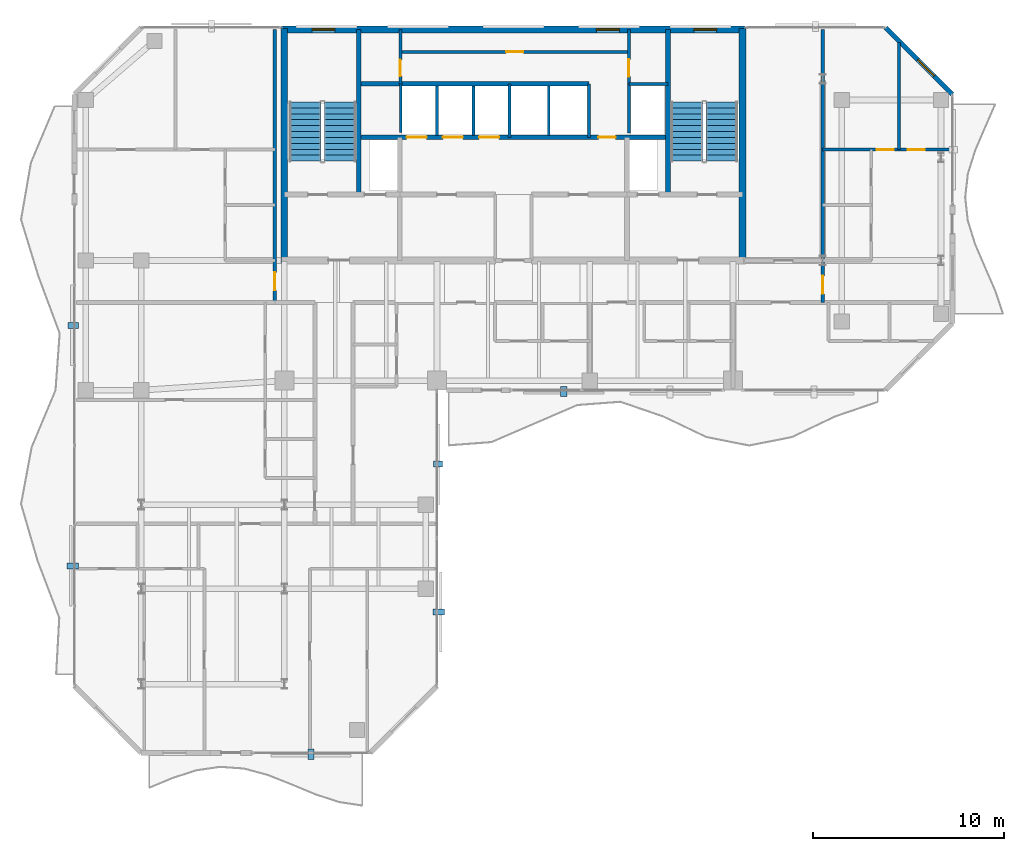
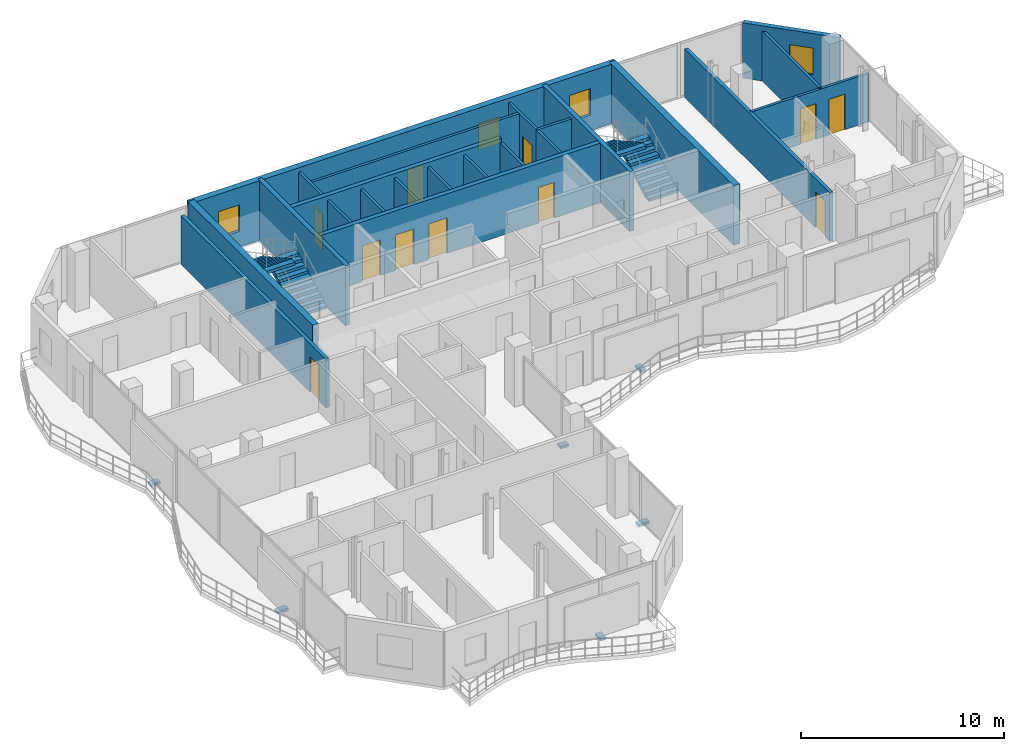
# One storey, part 20 of 24: 23 walls, 11 doors, 6 discrete accessories, 4 stair flights, 4 windows, 15 openings, 2 elements without a shape of their own.
"""IFC4 building model written with IfcOpenShell, lengths in metres."""

import ifcopenshell
import ifcopenshell.guid

model = None  # the IFC model being written
_history = None  # IfcOwnerHistory: only IFC2X3 demands one
_inside = {}  # id of a spatial element -> (the spatial element, [elements in it])
_under = {}  # id of a project, library or spatial element -> (it, [spatial elements below it])
_declared = {}  # id of a project -> (the project, [libraries it declares])
_typed = {}  # id of a type object -> (the type object, [elements of that type])
_made_of = {}  # id of a material, layer set ... -> (it, [elements and type objects made of it])


def new_model(schema):
    """Start an empty IFC model of exactly this schema.

    Asked for "IFC4X3", IfcOpenShell would pick the latest addendum, in which some entities
    have other attributes; the version numbers below select the first issue.
    IFC2X3 requires an IfcOwnerHistory on every rooted entity: one is made here for all.
    """
    global model, _history
    if schema == "IFC4X3":
        model = ifcopenshell.file(schema_version=(4, 3, 0, 0))
    else:
        model = ifcopenshell.file(schema=schema)
    _inside.clear()
    _under.clear()
    _declared.clear()
    _typed.clear()
    _made_of.clear()
    _history = None
    if model.schema == "IFC2X3":
        org = make("IfcOrganization", Name="unknown")
        user = make(
            "IfcPersonAndOrganization",
            ThePerson=make("IfcPerson", FamilyName="unknown"),
            TheOrganization=org,
        )
        app = make(
            "IfcApplication",
            ApplicationDeveloper=org,
            Version="unknown",
            ApplicationFullName="unknown",
            ApplicationIdentifier="unknown",
        )
        _history = make(
            "IfcOwnerHistory",
            OwningUser=user,
            OwningApplication=app,
            ChangeAction="ADDED",
            CreationDate=0,
        )
    return model


def make(cls, **values):
    """One entity of the class cls with the attributes given. An attribute that is None is left unset."""
    return model.create_entity(
        cls, **{name: value for name, value in values.items() if value is not None}
    )


def rooted(cls, **values):
    """An entity with a GlobalId (a new one), such as an element, a storey or a relation."""
    return make(cls, GlobalId=ifcopenshell.guid.new(), OwnerHistory=_history, **values)


def si_unit(unit_type, name, prefix=None):
    """IfcSIUnit, for example si_unit("LENGTHUNIT", "METRE", prefix="MILLI")."""
    return make("IfcSIUnit", UnitType=unit_type, Prefix=prefix, Name=name)


def assignment(units):
    """IfcUnitAssignment: the units of a project."""
    return None if units is None else make("IfcUnitAssignment", Units=units)


def point(xyz):
    """IfcCartesianPoint."""
    return None if xyz is None else make("IfcCartesianPoint", Coordinates=xyz)


def direction(xyz):
    """IfcDirection."""
    return None if xyz is None else make("IfcDirection", DirectionRatios=xyz)


def frame(location, z_axis=None, x_axis=None):
    """IfcAxis2Placement3D, a coordinate frame: its origin and axes. An axis left out is left unset."""
    return make(
        "IfcAxis2Placement3D",
        Location=point(location),
        Axis=direction(z_axis),
        RefDirection=direction(x_axis),
    )


def frame_2d(location, x_axis=None):
    """IfcAxis2Placement2D, a coordinate frame in the plane: its origin and x axis."""
    return make(
        "IfcAxis2Placement2D", Location=point(location), RefDirection=direction(x_axis)
    )


def origin():
    """The frame at (0, 0, 0) with its axes left unset."""
    return frame((0.0, 0.0, 0.0))


def origin_2d():
    """The frame at (0, 0) in the plane with its x axis left unset."""
    return frame_2d((0.0, 0.0))


def place(relative_to, where):
    """IfcLocalPlacement: puts the frame where relative to a parent placement (None: the world)."""
    return make(
        "IfcLocalPlacement", PlacementRelTo=relative_to, RelativePlacement=where
    )


def context(
    kind, dimensions, precision=None, world=None, true_north=None, identifier=None
):
    """IfcGeometricRepresentationContext, for example the 3D "Model" context."""
    return make(
        "IfcGeometricRepresentationContext",
        ContextIdentifier=identifier,
        ContextType=kind,
        CoordinateSpaceDimension=dimensions,
        Precision=precision,
        WorldCoordinateSystem=world,
        TrueNorth=true_north,
    )


def subcontext(parent, identifier, kind, view, scale=None):
    """IfcGeometricRepresentationSubContext, for example "Body" below "Model"."""
    return make(
        "IfcGeometricRepresentationSubContext",
        ContextIdentifier=identifier,
        ContextType=kind,
        ParentContext=parent,
        TargetScale=scale,
        TargetView=view,
    )


def project(units=None, contexts=None):
    """IfcProject with its units and contexts."""
    return rooted(
        "IfcProject",
        Name="project",
        RepresentationContexts=contexts,
        UnitsInContext=assignment(units),
    )


def spatial(cls, under=None, at=None, **own):
    """A site, building, storey or space (cls), placed at a placement, below another one or the project."""
    s = rooted(cls, ObjectPlacement=at, **own)
    if under is not None:
        _under.setdefault(under.id(), (under, []))[1].append(s)
    return s


def polyline(points):
    """IfcPolyline through the points."""
    return make("IfcPolyline", Points=[point(p) for p in points])


def profile(cls, at=None, kind="AREA", **sizes):
    """A parametric profile (cls). Its sizes go by their IFC names, for example OverallWidth=200.0."""
    return make(cls, ProfileType=kind, Position=at, **sizes)


def rectangle(**sizes):
    """IfcRectangleProfileDef."""
    return profile("IfcRectangleProfileDef", **sizes)


def outline(outer, holes=None, kind="AREA"):
    """IfcArbitraryClosedProfileDef: a profile drawn as a closed curve; with holes, ...WithVoids."""
    if holes is None:
        return make("IfcArbitraryClosedProfileDef", ProfileType=kind, OuterCurve=outer)
    return make(
        "IfcArbitraryProfileDefWithVoids",
        ProfileType=kind,
        OuterCurve=outer,
        InnerCurves=holes,
    )


def extrude(swept, where, along, depth):
    """IfcExtrudedAreaSolid: the profile swept, set in the frame where, extruded along a direction by depth."""
    return make(
        "IfcExtrudedAreaSolid",
        SweptArea=swept,
        Position=where,
        ExtrudedDirection=direction(along),
        Depth=depth,
    )


def shape(context_of_items, identifier, shape_type, items):
    """IfcShapeRepresentation: the items that make up one representation, for example the "Body"."""
    return make(
        "IfcShapeRepresentation",
        ContextOfItems=context_of_items,
        RepresentationIdentifier=identifier,
        RepresentationType=shape_type,
        Items=items,
    )


def material(Name=None, Category=None):
    """IfcMaterial."""
    return make("IfcMaterial", Name=Name, Category=Category)


def layer(
    of_material, thickness, ventilated=None, Name=None, Category=None, Priority=None
):
    """IfcMaterialLayer: one layer of a wall or slab, of a material (None: an air gap)."""
    return make(
        "IfcMaterialLayer",
        Material=of_material,
        LayerThickness=thickness,
        IsVentilated=ventilated,
        Name=Name,
        Category=Category,
        Priority=Priority,
    )


def layer_set(layers, Name=None):
    """IfcMaterialLayerSet."""
    return make("IfcMaterialLayerSet", MaterialLayers=layers, LayerSetName=Name)


def made_of(thing, what):
    """Note that an element or type object is made of a material, layer set ...; save() writes the relation."""
    if what is not None:
        _made_of.setdefault(what.id(), (what, []))[1].append(thing)
    return thing


def type_object(cls, material=None, **own):
    """A type object (cls), such as IfcWallType, which elements share."""
    return made_of(rooted(cls, **own), material)


def element(
    cls,
    number,
    at=None,
    inside=None,
    cuts=None,
    type_object=None,
    material=None,
    context=None,
    identifier="Body",
    shape_type=None,
    held_by="IfcProductDefinitionShape",
    body=None,
    shapes=None,
    **own,
):
    """One element of the class cls, such as IfcWall. Its Tag is "e" and its number.

    at: its placement. inside: the storey or other place that contains it. cuts: it is an
    opening in that element (IfcRelVoidsElement). A single representation is given by context,
    identifier, shape_type and body (its items); several are given by shapes. held_by: the class
    of the entity that holds the representations. save() writes the other relations.
    """
    e = rooted(cls, Tag="e%d" % number, ObjectPlacement=at, **own)
    if body is not None:
        shapes = [shape(context, identifier, shape_type, body)]
    if shapes is not None:
        e.Representation = make(held_by, Representations=shapes)
    if inside is not None:
        _inside.setdefault(inside.id(), (inside, []))[1].append(e)
    if cuts is not None:
        rooted(
            "IfcRelVoidsElement", RelatingBuildingElement=cuts, RelatedOpeningElement=e
        )
    if type_object is not None:
        _typed.setdefault(type_object.id(), (type_object, []))[1].append(e)
    return made_of(e, material)


def fill(opening, filler):
    """IfcRelFillsElement: the door or window that sits in an opening."""
    return rooted(
        "IfcRelFillsElement",
        RelatingOpeningElement=opening,
        RelatedBuildingElement=filler,
    )


def aggregate(whole, parts):
    """IfcRelAggregates: a whole, such as a stair, and the parts it consists of."""
    return rooted("IfcRelAggregates", RelatingObject=whole, RelatedObjects=parts)


def save(model, path):
    """Write the relations noted so far, then the file.

    IfcRelAggregates (storeys below a building ...), IfcRelContainedInSpatialStructure (elements
    in a storey), IfcRelDefinesByType, IfcRelAssociatesMaterial and IfcRelDeclares: one each for
    every whole, place, type object, material and project.
    """
    for whole, parts in _under.values():
        aggregate(whole, parts)
    for where, things in _inside.values():
        rooted(
            "IfcRelContainedInSpatialStructure",
            RelatedElements=things,
            RelatingStructure=where,
        )
    for kind, things in _typed.values():
        rooted("IfcRelDefinesByType", RelatedObjects=things, RelatingType=kind)
    for what, things in _made_of.values():
        rooted("IfcRelAssociatesMaterial", RelatedObjects=things, RelatingMaterial=what)
    for by, libraries in _declared.values():
        rooted("IfcRelDeclares", RelatingContext=by, RelatedDefinitions=libraries)
    model.write(path)


model = new_model("IFC4")

# Units and contexts
model_context = context("Model", 3, precision=1e-05, world=origin(), true_north=direction((0.0, 1.0)))
body_context = subcontext(model_context, "Body", "Model", "MODEL_VIEW")
ifc_project = project(units=[si_unit("LENGTHUNIT", "METRE"), si_unit("AREAUNIT", "SQUARE_METRE"), si_unit("VOLUMEUNIT", "CUBIC_METRE"), si_unit("PLANEANGLEUNIT", "RADIAN"), si_unit("MASSUNIT", "GRAM", prefix="KILO")], contexts=[model_context])

# Site, building, storey
site_placement = place(None, origin())
site = spatial("IfcSite", under=ifc_project, at=site_placement, CompositionType="ELEMENT")
building_placement = place(site_placement, origin())
building = spatial("IfcBuilding", under=site, at=building_placement, Name="Catumbela Crestline Tower", CompositionType="ELEMENT")
storey_placement = place(building_placement, frame((0.0, 0.0, 161.4)))
storey = spatial("IfcBuildingStorey", under=building, at=storey_placement, Name="L41", CompositionType="ELEMENT", Elevation=161.4)

# Walls
ifc_material_1 = material(Name="Concrete C50/60", Category="concrete")
ifc_layer_1 = layer(ifc_material_1, 0.25, Name="Concrete C50/60")
ifc_layer_set_1 = layer_set([ifc_layer_1], Name="Concrete C50/60")
wall_type_1 = type_object("IfcWallType", Name="CW-250D", PredefinedType="SHEAR", material=ifc_layer_set_1)
for number, where, z_axis, x_axis, name in (
    (1, (19.9, 34.25, 0.0), (0.0, 0.0, 1.0), (0.0, 1.0, 0.0), "L41 Structural Core Shear Wall WWEB"),
    (2, (36.1, 34.25, 0.0), (0.0, 0.0, 1.0), (0.0, 1.0, 0.0), "L41 Structural Core Shear Wall EWEB"),
):
    element("IfcWall", number, at=place(storey_placement, frame(where, z_axis=z_axis, x_axis=x_axis)), inside=storey, type_object=wall_type_1, Name=name, PredefinedType="SHEAR", context=body_context, shape_type="SweptSolid", body=[
        extrude(rectangle(XDim=8.65, YDim=0.25, at=frame_2d((4.325, 0.0))), origin(), (0.0, 0.0, 1.0), 3.6),
    ])

# Wall, openings, doors
wall_1_placement = place(storey_placement, frame((19.9, 37.25, 0.0), z_axis=(0.0, 0.0, 1.0), x_axis=(1.0, 0.0, 0.0)))
wall_1 = element("IfcWall", 3, at=wall_1_placement, inside=storey, type_object=wall_type_1, Name="L41 Structural Core Shear Wall LIFTN", PredefinedType="SHEAR", context=body_context, shape_type="SweptSolid", body=[
    extrude(rectangle(XDim=16.2, YDim=0.25, at=frame_2d((8.1, 0.0))), origin(), (0.0, 0.0, 1.0), 3.6),
])
opening_1_placement = place(wall_1_placement, frame((12.55, 0.0, 0.0)))
opening_1 = element("IfcOpeningElement", 4, at=opening_1_placement, cuts=wall_1, Name="Opening DF9-090", PredefinedType="OPENING", context=body_context, shape_type="SweptSolid", body=[
    extrude(rectangle(XDim=0.9, YDim=2.15, at=frame_2d((0.45, 1.075))), frame((0.0, 0.135, 0.0), z_axis=(0.0, -1.0, 0.0), x_axis=(1.0, 0.0, 0.0)), (0.0, 0.0, 1.0), 0.27),
])
opening_2_placement = place(wall_1_placement, frame((2.5, 0.0, 0.0)))
opening_2 = element("IfcOpeningElement", 5, at=opening_2_placement, cuts=wall_1, Name="Opening LD-105", PredefinedType="OPENING", context=body_context, shape_type="SweptSolid", body=[
    extrude(rectangle(XDim=1.05, YDim=2.15, at=frame_2d((0.525, 1.075))), frame((0.0, 0.135, 0.0), z_axis=(0.0, -1.0, 0.0), x_axis=(1.0, 0.0, 0.0)), (0.0, 0.0, 1.0), 0.27),
])
opening_3_placement = place(wall_1_placement, frame((4.4, 0.0, 0.0)))
opening_3 = element("IfcOpeningElement", 6, at=opening_3_placement, cuts=wall_1, Name="Opening LD-105", PredefinedType="OPENING", context=body_context, shape_type="SweptSolid", body=[
    extrude(rectangle(XDim=1.05, YDim=2.15, at=frame_2d((0.525, 1.075))), frame((0.0, 0.135, 0.0), z_axis=(0.0, -1.0, 0.0), x_axis=(1.0, 0.0, 0.0)), (0.0, 0.0, 1.0), 0.27),
])
opening_4_placement = place(wall_1_placement, frame((6.3, 0.0, 0.0)))
opening_4 = element("IfcOpeningElement", 7, at=opening_4_placement, cuts=wall_1, Name="Opening LD-105", PredefinedType="OPENING", context=body_context, shape_type="SweptSolid", body=[
    extrude(rectangle(XDim=1.05, YDim=2.15, at=frame_2d((0.525, 1.075))), frame((0.0, 0.135, 0.0), z_axis=(0.0, -1.0, 0.0), x_axis=(1.0, 0.0, 0.0)), (0.0, 0.0, 1.0), 0.27),
])
ifc_material_2 = material(Name="Stainless steel EN 1.4401", Category="steel")
door_type_1 = type_object("IfcDoorType", Name="DF9-090", OperationType="NOTDEFINED", PredefinedType="DOOR", material=ifc_material_2)
door_1_placement = place(opening_1_placement, origin())
door_1 = element("IfcDoor", 8, at=door_1_placement, inside=storey, type_object=door_type_1, Name="L41 Interior Door DR-L41-CPAS1", OperationType="SINGLE_SWING_LEFT", OverallHeight=2.15, OverallWidth=0.9, PredefinedType="DOOR", context=body_context, shape_type="SweptSolid", body=[
    extrude(rectangle(XDim=0.9, YDim=2.15, at=frame_2d((0.45, 1.075))), frame((0.0, 0.025, 0.0), z_axis=(0.0, -1.0, 0.0), x_axis=(1.0, 0.0, 0.0)), (0.0, 0.0, 1.0), 0.05),
])
fill(opening_1, door_1)
door_type_2 = type_object("IfcDoorType", Name="LD-105", OperationType="NOTDEFINED", PredefinedType="DOOR", material=ifc_material_2)
door_2_placement = place(opening_2_placement, origin())
door_2 = element("IfcDoor", 9, at=door_2_placement, inside=storey, type_object=door_type_2, Name="L41 Lift Landing Sliding Door PL-H1", OperationType="DOUBLE_DOOR_SLIDING", OverallHeight=2.15, OverallWidth=1.05, PredefinedType="DOOR", context=body_context, shape_type="SweptSolid", body=[
    extrude(rectangle(XDim=1.05, YDim=2.15, at=frame_2d((0.525, 1.075))), frame((0.0, 0.025, 0.0), z_axis=(0.0, -1.0, 0.0), x_axis=(1.0, 0.0, 0.0)), (0.0, 0.0, 1.0), 0.05),
])
fill(opening_2, door_2)
door_3_placement = place(opening_3_placement, origin())
door_3 = element("IfcDoor", 10, at=door_3_placement, inside=storey, type_object=door_type_2, Name="L41 Lift Landing Sliding Door PL-H2", OperationType="DOUBLE_DOOR_SLIDING", OverallHeight=2.15, OverallWidth=1.05, PredefinedType="DOOR", context=body_context, shape_type="SweptSolid", body=[
    extrude(rectangle(XDim=1.05, YDim=2.15, at=frame_2d((0.525, 1.075))), frame((0.0, 0.025, 0.0), z_axis=(0.0, -1.0, 0.0), x_axis=(1.0, 0.0, 0.0)), (0.0, 0.0, 1.0), 0.05),
])
fill(opening_3, door_3)
door_4_placement = place(opening_4_placement, origin())
door_4 = element("IfcDoor", 11, at=door_4_placement, inside=storey, type_object=door_type_2, Name="L41 Lift Landing Sliding Door PL-H3", OperationType="DOUBLE_DOOR_SLIDING", OverallHeight=2.15, OverallWidth=1.05, PredefinedType="DOOR", context=body_context, shape_type="SweptSolid", body=[
    extrude(rectangle(XDim=1.05, YDim=2.15, at=frame_2d((0.525, 1.075))), frame((0.0, 0.025, 0.0), z_axis=(0.0, -1.0, 0.0), x_axis=(1.0, 0.0, 0.0)), (0.0, 0.0, 1.0), 0.05),
])
fill(opening_4, door_4)

# Walls
wall_2_placement = place(storey_placement, frame((19.9, 40.05, 0.0), z_axis=(0.0, 0.0, 1.0), x_axis=(1.0, 0.0, 0.0)))
element("IfcWall", 12, at=wall_2_placement, inside=storey, type_object=wall_type_1, Name="L41 Structural Core Shear Wall COREN", PredefinedType="SHEAR", context=body_context, shape_type="SweptSolid", body=[
    extrude(rectangle(XDim=12.05, YDim=0.25, at=frame_2d((6.025, 0.0))), origin(), (0.0, 0.0, 1.0), 3.6),
])
ifc_layer_2 = layer(ifc_material_1, 0.35, Name="Concrete C50/60")
ifc_layer_set_2 = layer_set([ifc_layer_2], Name="Concrete C50/60")
wall_type_2 = type_object("IfcWallType", Name="CW-350B", PredefinedType="SHEAR", material=ifc_layer_set_2)
for number, where, z_axis, x_axis, name in (
    (13, (16.0, 30.65, 0.0), (0.0, 0.0, 1.0), (0.0, 1.0, 0.0), "L41 Structural Core Shear Wall W"),
    (14, (40.0, 30.65, 0.0), (0.0, 0.0, 1.0), (0.0, 1.0, 0.0), "L41 Structural Core Shear Wall E"),
):
    element("IfcWall", number, at=place(storey_placement, frame(where, z_axis=z_axis, x_axis=x_axis)), inside=storey, type_object=wall_type_2, Name=name, PredefinedType="SHEAR", context=body_context, shape_type="SweptSolid", body=[
        extrude(rectangle(XDim=12.3, YDim=0.35, at=frame_2d((6.15, 0.0))), origin(), (0.0, 0.0, 1.0), 3.6),
    ])

# Wall, openings, windows
ifc_layer_3 = layer(ifc_material_1, 0.35, Name="Concrete C50/60")
ifc_layer_set_3 = layer_set([ifc_layer_3], Name="Concrete C50/60")
wall_type_3 = type_object("IfcWallType", Name="CW-350E", PredefinedType="SHEAR", material=ifc_layer_set_3)
wall_3_placement = place(storey_placement, frame((15.85, 42.9, 0.0), z_axis=(0.0, 0.0, 1.0), x_axis=(1.0, 0.0, 0.0)))
wall_3 = element("IfcWall", 15, at=wall_3_placement, inside=storey, type_object=wall_type_3, Name="L41 Structural Core Shear Wall N", PredefinedType="SHEAR", context=body_context, shape_type="SweptSolid", body=[
    extrude(rectangle(XDim=24.3, YDim=0.35, at=frame_2d((12.15, 0.0))), origin(), (0.0, 0.0, 1.0), 3.6),
])
opening_5_placement = place(wall_3_placement, frame((1.6, 0.0, 0.95)))
opening_5 = element("IfcOpeningElement", 16, at=opening_5_placement, cuts=wall_3, Name="Opening WN-02", PredefinedType="OPENING", context=body_context, shape_type="SweptSolid", body=[
    extrude(rectangle(XDim=1.2, YDim=1.6, at=frame_2d((0.6, 0.8))), frame((0.0, 0.185, 0.0), z_axis=(0.0, -1.0, 0.0), x_axis=(1.0, 0.0, 0.0)), (0.0, 0.0, 1.0), 0.37),
])
opening_6_placement = place(wall_3_placement, frame((16.5, 0.0, 0.95)))
opening_6 = element("IfcOpeningElement", 17, at=opening_6_placement, cuts=wall_3, Name="Opening WN-02", PredefinedType="OPENING", context=body_context, shape_type="SweptSolid", body=[
    extrude(rectangle(XDim=1.2, YDim=1.6, at=frame_2d((0.6, 0.8))), frame((0.0, 0.185, 0.0), z_axis=(0.0, -1.0, 0.0), x_axis=(1.0, 0.0, 0.0)), (0.0, 0.0, 1.0), 0.37),
])
opening_7_placement = place(wall_3_placement, frame((21.6, 0.0, 0.95)))
opening_7 = element("IfcOpeningElement", 18, at=opening_7_placement, cuts=wall_3, Name="Opening WN-02", PredefinedType="OPENING", context=body_context, shape_type="SweptSolid", body=[
    extrude(rectangle(XDim=1.2, YDim=1.6, at=frame_2d((0.6, 0.8))), frame((0.0, 0.185, 0.0), z_axis=(0.0, -1.0, 0.0), x_axis=(1.0, 0.0, 0.0)), (0.0, 0.0, 1.0), 0.37),
])
ifc_material_3 = material(Name="Low-E laminated solar-control double glazing", Category="glass")
window_type = type_object("IfcWindowType", Name="WO-1200", PartitioningType="SINGLE_PANEL", PredefinedType="WINDOW", material=ifc_material_3)
window_1_placement = place(opening_5_placement, origin())
window_1 = element("IfcWindow", 19, at=window_1_placement, inside=storey, type_object=window_type, Name="L41 North Core Daylight Vision Window 233", OverallHeight=1.6, OverallWidth=1.2, PartitioningType="SINGLE_PANEL", PredefinedType="WINDOW", context=body_context, shape_type="SweptSolid", body=[
    extrude(rectangle(XDim=1.2, YDim=1.6, at=frame_2d((0.6, 0.8))), frame((0.0, 0.03, 0.0), z_axis=(0.0, -1.0, 0.0), x_axis=(1.0, 0.0, 0.0)), (0.0, 0.0, 1.0), 0.06),
])
fill(opening_5, window_1)
window_2_placement = place(opening_6_placement, origin())
window_2 = element("IfcWindow", 20, at=window_2_placement, inside=storey, type_object=window_type, Name="L41 North Core Daylight Vision Window 234", OverallHeight=1.6, OverallWidth=1.2, PartitioningType="SINGLE_PANEL", PredefinedType="WINDOW", context=body_context, shape_type="SweptSolid", body=[
    extrude(rectangle(XDim=1.2, YDim=1.6, at=frame_2d((0.6, 0.8))), frame((0.0, 0.03, 0.0), z_axis=(0.0, -1.0, 0.0), x_axis=(1.0, 0.0, 0.0)), (0.0, 0.0, 1.0), 0.06),
])
fill(opening_6, window_2)
window_3_placement = place(opening_7_placement, origin())
window_3 = element("IfcWindow", 21, at=window_3_placement, inside=storey, type_object=window_type, Name="L41 North Core Daylight Vision Window 235", OverallHeight=1.6, OverallWidth=1.2, PartitioningType="SINGLE_PANEL", PredefinedType="WINDOW", context=body_context, shape_type="SweptSolid", body=[
    extrude(rectangle(XDim=1.2, YDim=1.6, at=frame_2d((0.6, 0.8))), frame((0.0, 0.03, 0.0), z_axis=(0.0, -1.0, 0.0), x_axis=(1.0, 0.0, 0.0)), (0.0, 0.0, 1.0), 0.06),
])
fill(opening_7, window_3)

# Wall, opening, door
ifc_material_4 = material(Name="Acoustic gypsum and mineral-wool partition")
ifc_layer_4 = layer(ifc_material_4, 0.2, Name="Acoustic gypsum and mineral-wool partition")
ifc_layer_set_4 = layer_set([ifc_layer_4], Name="Acoustic gypsum and mineral-wool partition")
wall_type_4 = type_object("IfcWallType", Name="WC-200", PredefinedType="PARTITIONING", material=ifc_layer_set_4)
wall_4_placement = place(storey_placement, frame((15.5, 28.6, 0.0), z_axis=(0.0, 0.0, 1.0), x_axis=(0.0, 1.0, 0.0)))
wall_4 = element("IfcWall", 22, at=wall_4_placement, inside=storey, type_object=wall_type_4, Name="L41 Interior Partition PW-L41-NW1-ENT", PredefinedType="PARTITIONING", context=body_context, shape_type="SweptSolid", body=[
    extrude(rectangle(XDim=14.3, YDim=0.2, at=frame_2d((7.15, 0.0))), origin(), (0.0, 0.0, 1.0), 2.93),
])
opening_8_placement = place(wall_4_placement, frame((0.625, 0.0, 0.0)))
opening_8 = element("IfcOpeningElement", 23, at=opening_8_placement, cuts=wall_4, Name="Opening DF6-095", PredefinedType="OPENING", context=body_context, shape_type="SweptSolid", body=[
    extrude(rectangle(XDim=0.95, YDim=2.15, at=frame_2d((0.475, 1.075))), frame((0.0, 0.11, 0.0), z_axis=(0.0, -1.0, 0.0), x_axis=(1.0, 0.0, 0.0)), (0.0, 0.0, 1.0), 0.22),
])
ifc_material_5 = material(Name="Aluminium alloy AW-6060-T66", Category="aluminium")
door_type_3 = type_object("IfcDoorType", Name="DF6-095", OperationType="NOTDEFINED", PredefinedType="DOOR", material=ifc_material_5)
door_5_placement = place(opening_8_placement, origin())
door_5 = element("IfcDoor", 24, at=door_5_placement, inside=storey, type_object=door_type_3, Name="L41 Interior Door DR-L41-NW1-ENT", OperationType="SINGLE_SWING_LEFT", OverallHeight=2.15, OverallWidth=0.95, PredefinedType="DOOR", context=body_context, shape_type="SweptSolid", body=[
    extrude(rectangle(XDim=0.95, YDim=2.15, at=frame_2d((0.475, 1.075))), frame((0.0, 0.025, 0.0), z_axis=(0.0, -1.0, 0.0), x_axis=(1.0, 0.0, 0.0)), (0.0, 0.0, 1.0), 0.05),
])
fill(opening_8, door_5)

wall_5_placement = place(storey_placement, frame((44.2, 28.6, 0.0), z_axis=(0.0, 0.0, 1.0), x_axis=(0.0, 1.0, 0.0)))
wall_5 = element("IfcWall", 25, at=wall_5_placement, inside=storey, type_object=wall_type_4, Name="L41 Interior Partition PW-L41-NE1-ENT", PredefinedType="PARTITIONING", context=body_context, shape_type="SweptSolid", body=[
    extrude(rectangle(XDim=14.3, YDim=0.2, at=frame_2d((7.15, 0.0))), origin(), (0.0, 0.0, 1.0), 2.93),
])
opening_9_placement = place(wall_5_placement, frame((0.445, 0.0, 0.0)))
opening_9 = element("IfcOpeningElement", 26, at=opening_9_placement, cuts=wall_5, Name="Opening DF6-095", PredefinedType="OPENING", context=body_context, shape_type="SweptSolid", body=[
    extrude(rectangle(XDim=0.95, YDim=2.15, at=frame_2d((0.475, 1.075))), frame((0.0, 0.11, 0.0), z_axis=(0.0, -1.0, 0.0), x_axis=(1.0, 0.0, 0.0)), (0.0, 0.0, 1.0), 0.22),
])
door_6_placement = place(opening_9_placement, origin())
door_6 = element("IfcDoor", 27, at=door_6_placement, inside=storey, type_object=door_type_3, Name="L41 Interior Door DR-L41-NE1-ENT", OperationType="SINGLE_SWING_LEFT", OverallHeight=2.15, OverallWidth=0.95, PredefinedType="DOOR", context=body_context, shape_type="SweptSolid", body=[
    extrude(rectangle(XDim=0.95, YDim=2.15, at=frame_2d((0.475, 1.075))), frame((0.0, 0.025, 0.0), z_axis=(0.0, -1.0, 0.0), x_axis=(1.0, 0.0, 0.0)), (0.0, 0.0, 1.0), 0.05),
])
fill(opening_9, door_6)

# Wall, opening, window
ifc_material_6 = material(Name="Angolan grey-ochre granite", Category="masonry")
ifc_layer_5 = layer(ifc_material_6, 0.25, Name="Angolan grey-ochre granite")
ifc_layer_set_5 = layer_set([ifc_layer_5], Name="Angolan grey-ochre granite")
wall_type_5 = type_object("IfcWallType", Name="WE-250", PredefinedType="STANDARD", material=ifc_layer_set_5)
wall_6_placement = place(storey_placement, frame((51.0, 39.5, 0.0), z_axis=(0.0, 0.0, 1.0), x_axis=(-0.707106781187, 0.707106781187, 0.0)))
wall_6 = element("IfcWall", 28, at=wall_6_placement, inside=storey, type_object=wall_type_5, Name="L41 Granite Punched Window Wall 6-1", PredefinedType="STANDARD", context=body_context, shape_type="SweptSolid", body=[
    extrude(rectangle(XDim=4.9497, YDim=0.25, at=frame_2d((2.4748, 0.0))), origin(), (0.0, 0.0, 1.0), 3.33),
])
opening_10_placement = place(wall_6_placement, frame((1.3574, 0.0, 0.85)))
opening_10 = element("IfcOpeningElement", 29, at=opening_10_placement, cuts=wall_6, Name="Opening WN-02", PredefinedType="OPENING", context=body_context, shape_type="SweptSolid", body=[
    extrude(rectangle(XDim=1.2, YDim=1.6, at=frame_2d((0.6, 0.8))), frame((0.0, 0.135, 0.0), z_axis=(0.0, -1.0, 0.0), x_axis=(1.0, 0.0, 0.0)), (0.0, 0.0, 1.0), 0.27),
])
window_4_placement = place(opening_10_placement, origin())
window_4 = element("IfcWindow", 30, at=window_4_placement, inside=storey, type_object=window_type, Name="L41 Facade Vision Window 240", OverallHeight=1.6, OverallWidth=1.2, PartitioningType="SINGLE_PANEL", PredefinedType="WINDOW", context=body_context, shape_type="SweptSolid", body=[
    extrude(rectangle(XDim=1.2, YDim=1.6, at=frame_2d((0.6, 0.8))), frame((0.0, 0.03, 0.0), z_axis=(0.0, -1.0, 0.0), x_axis=(1.0, 0.0, 0.0)), (0.0, 0.0, 1.0), 0.06),
])
fill(opening_10, window_4)

# Wall
ifc_layer_6 = layer(ifc_material_4, 0.15, Name="Acoustic gypsum and mineral-wool partition")
ifc_layer_set_6 = layer_set([ifc_layer_6], Name="Acoustic gypsum and mineral-wool partition")
wall_type_6 = type_object("IfcWallType", Name="WP-150", PredefinedType="PARTITIONING", material=ifc_layer_set_6)
wall_7_placement = place(storey_placement, frame((34.05, 40.05, 0.0), z_axis=(0.0, 0.0, 1.0), x_axis=(1.0, 0.0, 0.0)))
element("IfcWall", 31, at=wall_7_placement, inside=storey, type_object=wall_type_6, Name="L41 Interior Partition PW-L41-CR-ES", PredefinedType="PARTITIONING", context=body_context, shape_type="SweptSolid", body=[
    extrude(rectangle(XDim=2.05, YDim=0.15, at=frame_2d((1.025, 0.0))), origin(), (0.0, 0.0, 1.0), 3.33),
])

# Wall, opening, door
wall_8_placement = place(storey_placement, frame((34.05, 40.05, 0.0), z_axis=(0.0, 0.0, 1.0), x_axis=(0.0, 1.0, 0.0)))
wall_8 = element("IfcWall", 32, at=wall_8_placement, inside=storey, type_object=wall_type_6, Name="L41 Interior Partition PW-L41-CR-EW", PredefinedType="PARTITIONING", context=body_context, shape_type="SweptSolid", body=[
    extrude(rectangle(XDim=2.85, YDim=0.15, at=frame_2d((1.425, 0.0))), origin(), (0.0, 0.0, 1.0), 3.33),
])
opening_11_placement = place(wall_8_placement, frame((0.385, 0.0, 0.0)))
opening_11 = element("IfcOpeningElement", 33, at=opening_11_placement, cuts=wall_8, Name="Opening DF9-090", PredefinedType="OPENING", context=body_context, shape_type="SweptSolid", body=[
    extrude(rectangle(XDim=0.9, YDim=2.15, at=frame_2d((0.45, 1.075))), frame((0.0, 0.085, 0.0), z_axis=(0.0, -1.0, 0.0), x_axis=(1.0, 0.0, 0.0)), (0.0, 0.0, 1.0), 0.17),
])
door_7_placement = place(opening_11_placement, origin())
door_7 = element("IfcDoor", 34, at=door_7_placement, inside=storey, type_object=door_type_1, Name="L41 Interior Door DR-L41-CREAST", OperationType="SINGLE_SWING_RIGHT", OverallHeight=2.15, OverallWidth=0.9, PredefinedType="DOOR", context=body_context, shape_type="SweptSolid", body=[
    extrude(rectangle(XDim=0.9, YDim=2.15, at=frame_2d((0.45, 1.075))), frame((0.0, 0.025, 0.0), z_axis=(0.0, -1.0, 0.0), x_axis=(1.0, 0.0, 0.0)), (0.0, 0.0, 1.0), 0.05),
])
fill(opening_11, door_7)

wall_9_placement = place(storey_placement, frame((22.08, 40.05, 0.0), z_axis=(0.0, 0.0, 1.0), x_axis=(0.0, 1.0, 0.0)))
wall_9 = element("IfcWall", 35, at=wall_9_placement, inside=storey, type_object=wall_type_6, Name="L41 Interior Partition PW-L41-CR-WCW", PredefinedType="PARTITIONING", context=body_context, shape_type="SweptSolid", body=[
    extrude(rectangle(XDim=2.85, YDim=0.15, at=frame_2d((1.425, 0.0))), origin(), (0.0, 0.0, 1.0), 3.33),
])
opening_12_placement = place(wall_9_placement, frame((0.41, 0.0, 0.0)))
opening_12 = element("IfcOpeningElement", 36, at=opening_12_placement, cuts=wall_9, Name="Opening DI-085", PredefinedType="OPENING", context=body_context, shape_type="SweptSolid", body=[
    extrude(rectangle(XDim=0.85, YDim=2.15, at=frame_2d((0.425, 1.075))), frame((0.0, 0.085, 0.0), z_axis=(0.0, -1.0, 0.0), x_axis=(1.0, 0.0, 0.0)), (0.0, 0.0, 1.0), 0.17),
])
door_type_4 = type_object("IfcDoorType", Name="DI-085", OperationType="NOTDEFINED", PredefinedType="DOOR", material=ifc_material_5)
door_8_placement = place(opening_12_placement, origin())
door_8 = element("IfcDoor", 37, at=door_8_placement, inside=storey, type_object=door_type_4, Name="L41 Interior Door DR-L41-CRWC", OperationType="SINGLE_SWING_LEFT", OverallHeight=2.15, OverallWidth=0.85, PredefinedType="DOOR", context=body_context, shape_type="SweptSolid", body=[
    extrude(rectangle(XDim=0.85, YDim=2.15, at=frame_2d((0.425, 1.075))), frame((0.0, 0.025, 0.0), z_axis=(0.0, -1.0, 0.0), x_axis=(1.0, 0.0, 0.0)), (0.0, 0.0, 1.0), 0.05),
])
fill(opening_12, door_8)

wall_10_placement = place(storey_placement, frame((22.08, 41.72, 0.0), z_axis=(0.0, 0.0, 1.0), x_axis=(1.0, 0.0, 0.0)))
wall_10 = element("IfcWall", 38, at=wall_10_placement, inside=storey, type_object=wall_type_6, Name="L41 Interior Partition PW-L41-CR-MID", PredefinedType="PARTITIONING", context=body_context, shape_type="SweptSolid", body=[
    extrude(rectangle(XDim=11.97, YDim=0.15, at=frame_2d((5.985, 0.0))), origin(), (0.0, 0.0, 1.0), 3.33),
])
opening_13_placement = place(wall_10_placement, frame((5.535, 0.0, 0.0)))
opening_13 = element("IfcOpeningElement", 39, at=opening_13_placement, cuts=wall_10, Name="Opening DF9-090", PredefinedType="OPENING", context=body_context, shape_type="SweptSolid", body=[
    extrude(rectangle(XDim=0.9, YDim=2.15, at=frame_2d((0.45, 1.075))), frame((0.0, 0.085, 0.0), z_axis=(0.0, -1.0, 0.0), x_axis=(1.0, 0.0, 0.0)), (0.0, 0.0, 1.0), 0.17),
])
door_9_placement = place(opening_13_placement, origin())
door_9 = element("IfcDoor", 40, at=door_9_placement, inside=storey, type_object=door_type_1, Name="L41 Interior Door DR-L41-CRMID", OperationType="SINGLE_SWING_LEFT", OverallHeight=2.15, OverallWidth=0.9, PredefinedType="DOOR", context=body_context, shape_type="SweptSolid", body=[
    extrude(rectangle(XDim=0.9, YDim=2.15, at=frame_2d((0.45, 1.075))), frame((0.0, 0.025, 0.0), z_axis=(0.0, -1.0, 0.0), x_axis=(1.0, 0.0, 0.0)), (0.0, 0.0, 1.0), 0.05),
])
fill(opening_13, door_9)

# Wall, openings, doors
wall_11_placement = place(storey_placement, frame((44.2, 36.608, 0.0), z_axis=(0.0, 0.0, 1.0), x_axis=(1.0, 0.0, 0.0)))
wall_11 = element("IfcWall", 41, at=wall_11_placement, inside=storey, type_object=wall_type_6, Name="L41 Interior Partition PW-L41-NE1-KBN", PredefinedType="PARTITIONING", context=body_context, shape_type="SweptSolid", body=[
    extrude(rectangle(XDim=6.7, YDim=0.15, at=frame_2d((3.35, 0.0))), origin(), (0.0, 0.0, 1.0), 2.93),
])
opening_14_placement = place(wall_11_placement, frame((2.821, 0.0, 0.0)))
opening_14 = element("IfcOpeningElement", 42, at=opening_14_placement, cuts=wall_11, Name="Opening DI-090", PredefinedType="OPENING", context=body_context, shape_type="SweptSolid", body=[
    extrude(rectangle(XDim=0.9, YDim=2.15, at=frame_2d((0.45, 1.075))), frame((0.0, 0.085, 0.0), z_axis=(0.0, -1.0, 0.0), x_axis=(1.0, 0.0, 0.0)), (0.0, 0.0, 1.0), 0.17),
])
opening_15_placement = place(wall_11_placement, frame((4.4569, 0.0, 0.0)))
opening_15 = element("IfcOpeningElement", 43, at=opening_15_placement, cuts=wall_11, Name="Opening DI-090", PredefinedType="OPENING", context=body_context, shape_type="SweptSolid", body=[
    extrude(rectangle(XDim=0.9, YDim=2.15, at=frame_2d((0.45, 1.075))), frame((0.0, 0.085, 0.0), z_axis=(0.0, -1.0, 0.0), x_axis=(1.0, 0.0, 0.0)), (0.0, 0.0, 1.0), 0.17),
])
door_type_5 = type_object("IfcDoorType", Name="DI-090", OperationType="NOTDEFINED", PredefinedType="DOOR", material=ifc_material_5)
door_10_placement = place(opening_14_placement, origin())
door_10 = element("IfcDoor", 44, at=door_10_placement, inside=storey, type_object=door_type_5, Name="L41 Interior Door DR-L41-NE1-BD1", OperationType="SINGLE_SWING_LEFT", OverallHeight=2.15, OverallWidth=0.9, PredefinedType="DOOR", context=body_context, shape_type="SweptSolid", body=[
    extrude(rectangle(XDim=0.9, YDim=2.15, at=frame_2d((0.45, 1.075))), frame((0.0, 0.025, 0.0), z_axis=(0.0, -1.0, 0.0), x_axis=(1.0, 0.0, 0.0)), (0.0, 0.0, 1.0), 0.05),
])
fill(opening_14, door_10)
door_11_placement = place(opening_15_placement, origin())
door_11 = element("IfcDoor", 45, at=door_11_placement, inside=storey, type_object=door_type_5, Name="L41 Interior Door DR-L41-NE1-BD2", OperationType="SINGLE_SWING_RIGHT", OverallHeight=2.15, OverallWidth=0.9, PredefinedType="DOOR", context=body_context, shape_type="SweptSolid", body=[
    extrude(rectangle(XDim=0.9, YDim=2.15, at=frame_2d((0.45, 1.075))), frame((0.0, 0.025, 0.0), z_axis=(0.0, -1.0, 0.0), x_axis=(1.0, 0.0, 0.0)), (0.0, 0.0, 1.0), 0.05),
])
fill(opening_15, door_11)

# Walls
wall_12_placement = place(storey_placement, frame((48.196, 36.608, 0.0), z_axis=(0.0, 0.0, 1.0), x_axis=(0.0, 1.0, 0.0)))
element("IfcWall", 46, at=wall_12_placement, inside=storey, type_object=wall_type_6, Name="L41 Interior Partition PW-L41-NE1-BDP", PredefinedType="PARTITIONING", context=body_context, shape_type="SweptSolid", body=[
    extrude(rectangle(XDim=5.596, YDim=0.15, at=frame_2d((2.798, 0.0))), origin(), (0.0, 0.0, 1.0), 3.01),
])
ifc_layer_7 = layer(ifc_material_4, 0.15, Name="Acoustic gypsum and mineral-wool partition")
ifc_layer_set_7 = layer_set([ifc_layer_7], Name="Acoustic gypsum and mineral-wool partition")
wall_type_7 = type_object("IfcWallType", Name="WS-150", PredefinedType="PLUMBINGWALL", material=ifc_layer_set_7)
wall_13_placement = place(storey_placement, frame((22.1, 37.4897, 0.0), z_axis=(0.0, 0.0, 1.0), x_axis=(0.0, 1.0, 0.0)))
element("IfcWall", 47, at=wall_13_placement, inside=storey, type_object=wall_type_7, Name="L41 Interior Partition PW-L41-SHH0", PredefinedType="PLUMBINGWALL", context=body_context, shape_type="SweptSolid", body=[
    extrude(rectangle(XDim=2.5603, YDim=0.15, at=frame_2d((1.2801, 0.0))), origin(), (0.0, 0.0, 1.0), 3.33),
])
wall_14_placement = place(storey_placement, frame((27.8, 37.25, 0.0), z_axis=(0.0, 0.0, 1.0), x_axis=(0.0, 1.0, 0.0)))
element("IfcWall", 48, at=wall_14_placement, inside=storey, type_object=wall_type_7, Name="L41 Interior Partition PW-L41-SHH3", PredefinedType="PLUMBINGWALL", context=body_context, shape_type="SweptSolid", body=[
    extrude(rectangle(XDim=2.8, YDim=0.15, at=frame_2d((1.4, 0.0))), origin(), (0.0, 0.0, 1.0), 3.33),
])
for number, where, z_axis, x_axis, name in (
    (49, (24.0, 37.35, 0.0), (0.0, 0.0, 1.0), (0.0, 1.0, 0.0), "L41 Interior Partition PW-L41-SHH1"),
    (50, (25.9, 37.35, 0.0), (0.0, 0.0, 1.0), (0.0, 1.0, 0.0), "L41 Interior Partition PW-L41-SHH2"),
):
    element("IfcWall", number, at=place(storey_placement, frame(where, z_axis=z_axis, x_axis=x_axis)), inside=storey, type_object=wall_type_7, Name=name, PredefinedType="PLUMBINGWALL", context=body_context, shape_type="SweptSolid", body=[
        extrude(rectangle(XDim=2.6, YDim=0.15, at=frame_2d((1.3, 0.0))), origin(), (0.0, 0.0, 1.0), 3.33),
    ])
wall_15_placement = place(storey_placement, frame((31.95, 37.25, 0.0), z_axis=(0.0, 0.0, 1.0), x_axis=(0.0, 1.0, 0.0)))
element("IfcWall", 51, at=wall_15_placement, inside=storey, type_object=wall_type_7, Name="L41 Interior Partition PW-L41-SHEX2E", PredefinedType="PLUMBINGWALL", context=body_context, shape_type="SweptSolid", body=[
    extrude(rectangle(XDim=2.8, YDim=0.15, at=frame_2d((1.4, 0.0))), origin(), (0.0, 0.0, 1.0), 3.33),
])
wall_16_placement = place(storey_placement, frame((29.85, 37.35, 0.0), z_axis=(0.0, 0.0, 1.0), x_axis=(0.0, 1.0, 0.0)))
element("IfcWall", 52, at=wall_16_placement, inside=storey, type_object=wall_type_7, Name="L41 Interior Partition PW-L41-SHEX1", PredefinedType="PLUMBINGWALL", context=body_context, shape_type="SweptSolid", body=[
    extrude(rectangle(XDim=2.6, YDim=0.15, at=frame_2d((1.3, 0.0))), origin(), (0.0, 0.0, 1.0), 3.33),
])
wall_17_placement = place(storey_placement, frame((34.05, 37.4734, 0.0), z_axis=(0.0, 0.0, 1.0), x_axis=(0.0, 1.0, 0.0)))
element("IfcWall", 53, at=wall_17_placement, inside=storey, type_object=wall_type_7, Name="L41 Interior Partition PW-L41-RISW", PredefinedType="PLUMBINGWALL", context=body_context, shape_type="SweptSolid", body=[
    extrude(rectangle(XDim=2.5766, YDim=0.15, at=frame_2d((1.2883, 0.0))), origin(), (0.0, 0.0, 1.0), 3.33),
])

# Stair, stair flights
ifc_material_7 = material(Name="Concrete C45/55", Category="concrete")
stair_type = type_object("IfcStairType", Name="ST-DLG", PredefinedType="HALF_TURN_STAIR", material=ifc_material_7)
stair_1_placement = place(storey_placement, origin())
stair_1 = element("IfcStair", 54, at=stair_1_placement, inside=storey, type_object=stair_type, Name="L41 West Core Pressurised Exit Stair ST-01", PredefinedType="HALF_TURN_STAIR")
stair_flight_type = type_object("IfcStairFlightType", Name="SF-1636", PredefinedType="STRAIGHT", material=ifc_material_7)
stair_flight_1_placement = place(storey_placement, frame((18.92, 36.0, 0.0), z_axis=(0.0, 0.0, 1.0), x_axis=(0.0, 1.0, 0.0)))
stair_flight_1 = element("IfcStairFlight", 55, at=stair_flight_1_placement, type_object=stair_flight_type, Name="ST-01 flight 1", NumberOfRisers=11, NumberOfTreads=10, PredefinedType="STRAIGHT", RiserHeight=0.163636364, TreadLength=0.31, context=body_context, shape_type="SweptSolid", body=[
    extrude(outline(polyline([(0.0, 0.0), (0.0, 0.1636), (0.31, 0.1636), (0.31, 0.3273), (0.62, 0.3273), (0.62, 0.4909), (0.93, 0.4909), (0.93, 0.6545), (1.24, 0.6545), (1.24, 0.8182), (1.55, 0.8182), (1.55, 0.9818), (1.86, 0.9818), (1.86, 1.1455), (2.17, 1.1455), (2.17, 1.3091), (2.48, 1.3091), (2.48, 1.4727), (2.79, 1.4727), (2.79, 1.6364), (3.1, 1.6364), (3.1, 1.8), (3.1, 1.4554), (0.3427, 0.0), (0.0, 0.0)])), frame((0.0, 0.83, 0.0), z_axis=(0.0, -1.0, 0.0), x_axis=(1.0, 0.0, 0.0)), (0.0, 0.0, 1.0), 1.66),
])
stair_flight_2_placement = place(storey_placement, frame((17.08, 39.1, 1.8), z_axis=(0.0, 0.0, 1.0), x_axis=(0.0, -1.0, 0.0)))
stair_flight_2 = element("IfcStairFlight", 56, at=stair_flight_2_placement, type_object=stair_flight_type, Name="ST-01 flight 2", NumberOfRisers=11, NumberOfTreads=10, PredefinedType="STRAIGHT", RiserHeight=0.163636364, TreadLength=0.31, context=body_context, shape_type="SweptSolid", body=[
    extrude(outline(polyline([(0.0, 0.0), (0.0, 0.1636), (0.31, 0.1636), (0.31, 0.3273), (0.62, 0.3273), (0.62, 0.4909), (0.93, 0.4909), (0.93, 0.6545), (1.24, 0.6545), (1.24, 0.8182), (1.55, 0.8182), (1.55, 0.9818), (1.86, 0.9818), (1.86, 1.1455), (2.17, 1.1455), (2.17, 1.3091), (2.48, 1.3091), (2.48, 1.4727), (2.79, 1.4727), (2.79, 1.6364), (3.1, 1.6364), (3.1, 1.8), (3.1, 1.4554), (0.3427, 0.0), (0.0, 0.0)])), frame((0.0, 0.83, 0.0), z_axis=(0.0, -1.0, 0.0), x_axis=(1.0, 0.0, 0.0)), (0.0, 0.0, 1.0), 1.66),
])
aggregate(stair_1, [stair_flight_1, stair_flight_2])

stair_2_placement = place(storey_placement, origin())
stair_2 = element("IfcStair", 57, at=stair_2_placement, inside=storey, type_object=stair_type, Name="L41 East Core Pressurised Exit Stair ST-02", PredefinedType="HALF_TURN_STAIR")
stair_flight_3_placement = place(storey_placement, frame((38.92, 36.0, 0.0), z_axis=(0.0, 0.0, 1.0), x_axis=(0.0, 1.0, 0.0)))
stair_flight_3 = element("IfcStairFlight", 58, at=stair_flight_3_placement, type_object=stair_flight_type, Name="ST-02 flight 1", NumberOfRisers=11, NumberOfTreads=10, PredefinedType="STRAIGHT", RiserHeight=0.163636364, TreadLength=0.31, context=body_context, shape_type="SweptSolid", body=[
    extrude(outline(polyline([(0.0, 0.0), (0.0, 0.1636), (0.31, 0.1636), (0.31, 0.3273), (0.62, 0.3273), (0.62, 0.4909), (0.93, 0.4909), (0.93, 0.6545), (1.24, 0.6545), (1.24, 0.8182), (1.55, 0.8182), (1.55, 0.9818), (1.86, 0.9818), (1.86, 1.1455), (2.17, 1.1455), (2.17, 1.3091), (2.48, 1.3091), (2.48, 1.4727), (2.79, 1.4727), (2.79, 1.6364), (3.1, 1.6364), (3.1, 1.8), (3.1, 1.4554), (0.3427, 0.0), (0.0, 0.0)])), frame((0.0, 0.83, 0.0), z_axis=(0.0, -1.0, 0.0), x_axis=(1.0, 0.0, 0.0)), (0.0, 0.0, 1.0), 1.66),
])
stair_flight_4_placement = place(storey_placement, frame((37.08, 39.1, 1.8), z_axis=(0.0, 0.0, 1.0), x_axis=(0.0, -1.0, 0.0)))
stair_flight_4 = element("IfcStairFlight", 59, at=stair_flight_4_placement, type_object=stair_flight_type, Name="ST-02 flight 2", NumberOfRisers=11, NumberOfTreads=10, PredefinedType="STRAIGHT", RiserHeight=0.163636364, TreadLength=0.31, context=body_context, shape_type="SweptSolid", body=[
    extrude(outline(polyline([(0.0, 0.0), (0.0, 0.1636), (0.31, 0.1636), (0.31, 0.3273), (0.62, 0.3273), (0.62, 0.4909), (0.93, 0.4909), (0.93, 0.6545), (1.24, 0.6545), (1.24, 0.8182), (1.55, 0.8182), (1.55, 0.9818), (1.86, 0.9818), (1.86, 1.1455), (2.17, 1.1455), (2.17, 1.3091), (2.48, 1.3091), (2.48, 1.4727), (2.79, 1.4727), (2.79, 1.6364), (3.1, 1.6364), (3.1, 1.8), (3.1, 1.4554), (0.3427, 0.0), (0.0, 0.0)])), frame((0.0, 0.83, 0.0), z_axis=(0.0, -1.0, 0.0), x_axis=(1.0, 0.0, 0.0)), (0.0, 0.0, 1.0), 1.66),
])
aggregate(stair_2, [stair_flight_3, stair_flight_4])

# Discrete accessories
discrete_accessory_type = type_object("IfcDiscreteAccessoryType", Name="BK-SS1", PredefinedType="BRACKET", material=ifc_material_2)
discrete_accessory_1_placement = place(storey_placement, frame((17.4, 4.935, -0.18), z_axis=(0.0, 0.0, 1.0), x_axis=(1.0, 0.0, 0.0)))
element("IfcDiscreteAccessory", 60, at=discrete_accessory_1_placement, inside=storey, type_object=discrete_accessory_type, Name="L41 Solar Screen Stainless Bracket 448", PredefinedType="BRACKET", context=body_context, shape_type="SweptSolid", body=[
    extrude(rectangle(XDim=0.32, YDim=0.54, at=origin_2d()), origin(), (0.0, 0.0, 1.0), 0.16),
])
discrete_accessory_2_placement = place(storey_placement, frame((24.085, 12.375, -0.18), z_axis=(0.0, 0.0, 1.0), x_axis=(0.0, 1.0, 0.0)))
element("IfcDiscreteAccessory", 61, at=discrete_accessory_2_placement, inside=storey, type_object=discrete_accessory_type, Name="L41 Solar Screen Stainless Bracket 449", PredefinedType="BRACKET", context=body_context, shape_type="SweptSolid", body=[
    extrude(rectangle(XDim=0.32, YDim=0.62, at=origin_2d()), origin(), (0.0, 0.0, 1.0), 0.16),
])
discrete_accessory_3_placement = place(storey_placement, frame((24.045, 20.125, -0.18), z_axis=(0.0, 0.0, 1.0), x_axis=(0.0, 1.0, 0.0)))
element("IfcDiscreteAccessory", 62, at=discrete_accessory_3_placement, inside=storey, type_object=discrete_accessory_type, Name="L41 Solar Screen Stainless Bracket 450", PredefinedType="BRACKET", context=body_context, shape_type="SweptSolid", body=[
    extrude(rectangle(XDim=0.32, YDim=0.46, at=origin_2d()), origin(), (0.0, 0.0, 1.0), 0.16),
])
for number, where, z_axis, x_axis, name in (
    (63, (30.6375, 23.935, -0.18), (0.0, 0.0, 1.0), (1.0, 0.0, 0.0), "L41 Solar Screen Stainless Bracket 451"),
    (64, (4.935, 27.4, -0.18), (0.0, 0.0, 1.0), (0.0, -1.0, 0.0), "L41 Solar Screen Stainless Bracket 457"),
):
    element("IfcDiscreteAccessory", number, at=place(storey_placement, frame(where, z_axis=z_axis, x_axis=x_axis)), inside=storey, type_object=discrete_accessory_type, Name=name, PredefinedType="BRACKET", context=body_context, shape_type="SweptSolid", body=[
        extrude(rectangle(XDim=0.32, YDim=0.54, at=origin_2d()), origin(), (0.0, 0.0, 1.0), 0.16),
    ])
discrete_accessory_4_placement = place(storey_placement, frame((4.915, 14.8, -0.18), z_axis=(0.0, 0.0, 1.0), x_axis=(0.0, -1.0, 0.0)))
element("IfcDiscreteAccessory", 65, at=discrete_accessory_4_placement, inside=storey, type_object=discrete_accessory_type, Name="L41 Solar Screen Stainless Bracket 458", PredefinedType="BRACKET", context=body_context, shape_type="SweptSolid", body=[
    extrude(rectangle(XDim=0.32, YDim=0.62, at=origin_2d()), origin(), (0.0, 0.0, 1.0), 0.16),
])

save(model, "model.ifc")
